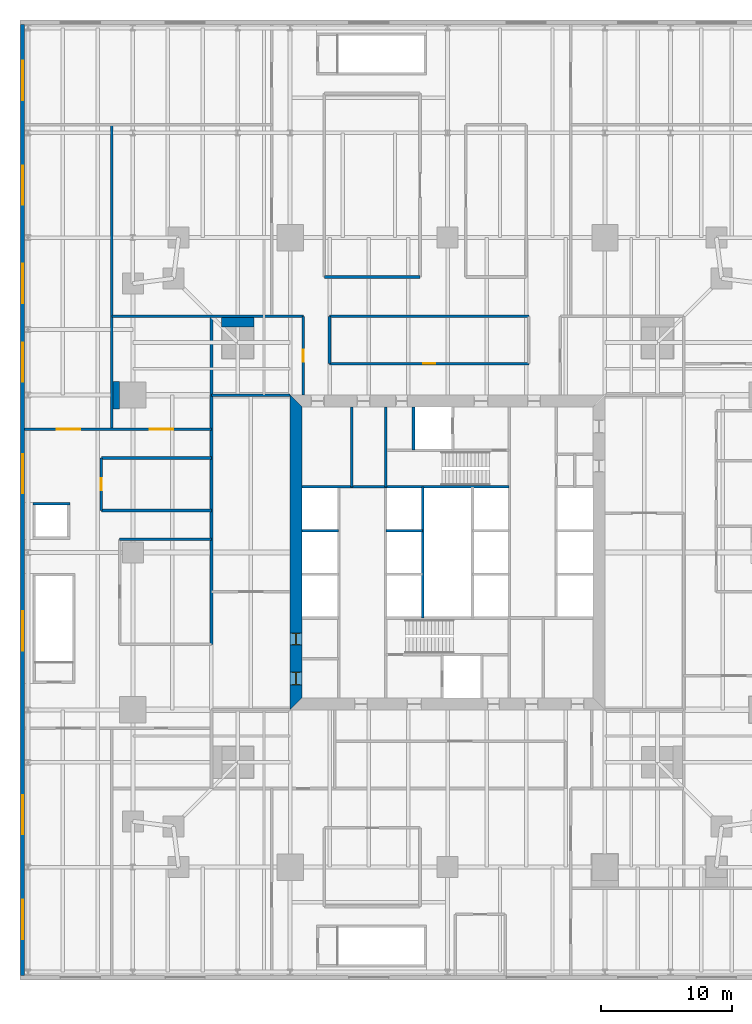
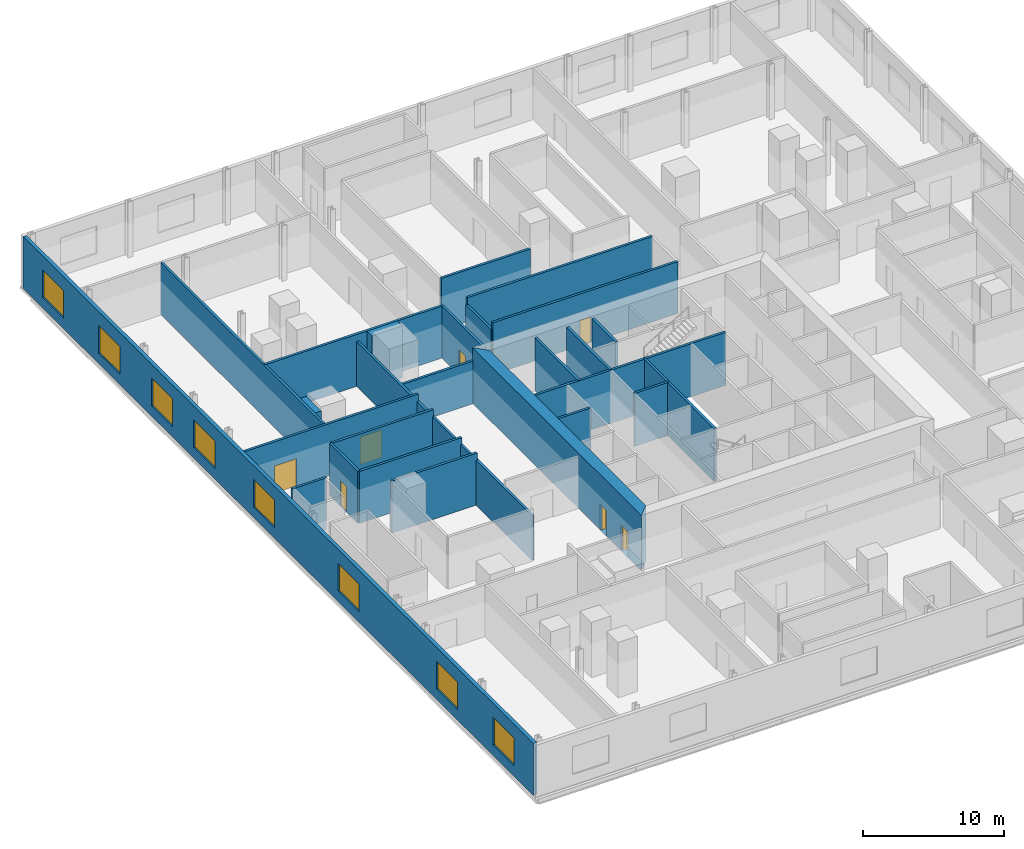
# One storey, part 11 of 15: 26 walls, 8 windows, 7 doors, 15 openings.
"""IFC4 building model written with IfcOpenShell, lengths in metres."""

from ifc_helpers import new_model, si_unit, direction, frame, frame_2d, origin, place, context, subcontext, project, spatial, polyline, rectangle, outline, extrude, material, layer, layer_set, type_object, element, fill, save


model = new_model("IFC4")

# Units and contexts
model_context = context("Model", 3, precision=1e-05, world=origin(), true_north=direction((0.0, 1.0)))
body_context = subcontext(model_context, "Body", "Model", "MODEL_VIEW")
ifc_project = project(units=[si_unit("LENGTHUNIT", "METRE"), si_unit("AREAUNIT", "SQUARE_METRE"), si_unit("VOLUMEUNIT", "CUBIC_METRE"), si_unit("PLANEANGLEUNIT", "RADIAN"), si_unit("MASSUNIT", "GRAM", prefix="KILO")], contexts=[model_context])

# Site, building, storey
site_placement = place(None, origin())
site = spatial("IfcSite", under=ifc_project, at=site_placement, CompositionType="ELEMENT")
building_placement = place(site_placement, origin())
building = spatial("IfcBuilding", under=site, at=building_placement, Name="Fenwick Lantern Interchange", CompositionType="ELEMENT")
storey_placement = place(building_placement, frame((0.0, 0.0, 26.199951171875)))
storey = spatial("IfcBuildingStorey", under=building, at=storey_placement, Name="L05", CompositionType="ELEMENT", Elevation=26.199951171875)

# Walls
ifc_material_1 = material(Name="Fire-rated gypsum board encasement on steel studs, 2 hour", Category="steel")
ifc_layer_1 = layer(ifc_material_1, 2.10009765625)
ifc_layer_set_1 = layer_set([ifc_layer_1], Name="COLUMN PIER 2100")
wall_type_1 = type_object("IfcWallType", Name="COLUMN PIER 2100", PredefinedType="PARTITIONING", material=ifc_layer_set_1)
wall_1_placement = place(storey_placement, frame((-0.5, 37.0, 0.0), z_axis=(0.0, 0.0, 1.0), x_axis=(1.0, 0.0, 0.0)))
element("IfcWall", 1, at=wall_1_placement, inside=storey, type_object=wall_type_1, Name="L05/W/PIER/CW2", PredefinedType="PARTITIONING", context=body_context, shape_type="SweptSolid", body=[
    extrude(rectangle(XDim=0.5, YDim=2.10009765625, at=frame_2d((0.25, 0.0))), origin(), (0.0, 0.0, 1.0), 4.5),
])
ifc_layer_2 = layer(ifc_material_1, 2.5)
ifc_layer_set_2 = layer_set([ifc_layer_2], Name="COLUMN PIER 2500")
wall_type_2 = type_object("IfcWallType", Name="COLUMN PIER 2500", PredefinedType="PARTITIONING", material=ifc_layer_set_2)
wall_2_placement = place(storey_placement, frame((9.0, 42.89990234375, 0.0), z_axis=(0.0, 0.0, 1.0), x_axis=(0.0, -1.0, 0.0)))
element("IfcWall", 2, at=wall_2_placement, inside=storey, type_object=wall_type_2, Name="L05/W/PIER/M4", PredefinedType="PARTITIONING", context=body_context, shape_type="SweptSolid", body=[
    extrude(rectangle(XDim=0.699951171875, YDim=2.5, at=frame_2d((0.35009765625, 0.0))), origin(), (0.0, 0.0, 1.0), 4.5),
])
ifc_material_2 = material(Name="Concrete masonry ASTM C90 Grade N", Category="masonry")
ifc_layer_3 = layer(ifc_material_2, 0.199951171875)
ifc_layer_set_3 = layer_set([ifc_layer_3], Name="Concrete masonry ASTM C90 Grade N")
wall_type_3 = type_object("IfcWallType", Name="CORE PARTITION 200", PredefinedType="PARTITIONING", material=ifc_layer_set_3)
for number, where, z_axis, x_axis, name in (
    (3, (13.89990234375, 26.666748046875, 0.0), (0.0, 0.0, 1.0), (1.0, 0.0, 0.0), "L05/W/CORES/d2"),
    (4, (20.300048828125, 26.666748046875, 0.0), (0.0, 0.0, 1.0), (1.0, 0.0, 0.0), "L05/W/CORES/e2"),
):
    element("IfcWall", number, at=place(storey_placement, frame(where, z_axis=z_axis, x_axis=x_axis)), inside=storey, type_object=wall_type_3, Name=name, PredefinedType="PARTITIONING", context=body_context, shape_type="SweptSolid", body=[
        extrude(rectangle(XDim=2.800048828125, YDim=0.199951171875, at=frame_2d((1.39990234375, 0.0))), origin(), (0.0, 0.0, 1.0), 4.60009765625),
    ])
wall_3_placement = place(storey_placement, frame((23.10009765625, 20.0, 0.0), z_axis=(0.0, 0.0, 1.0), x_axis=(0.0, 1.0, 0.0)))
element("IfcWall", 5, at=wall_3_placement, inside=storey, type_object=wall_type_3, Name="L05/W/CORES/e3", PredefinedType="PARTITIONING", context=body_context, shape_type="SweptSolid", body=[
    extrude(rectangle(XDim=10.0, YDim=0.199951171875, at=frame_2d((5.0, 0.0))), origin(), (0.0, 0.0, 1.0), 4.60009765625),
])
wall_4_placement = place(storey_placement, frame((22.39990234375, 36.10009765625, 0.0), z_axis=(0.0, 0.0, 1.0), x_axis=(0.0, -1.0, 0.0)))
element("IfcWall", 6, at=wall_4_placement, inside=storey, type_object=wall_type_3, Name="L05/W/COREN/h2", PredefinedType="PARTITIONING", context=body_context, shape_type="SweptSolid", body=[
    extrude(rectangle(XDim=3.300048828125, YDim=0.199951171875, at=frame_2d((1.64990234375, 0.0))), origin(), (0.0, 0.0, 1.0), 4.60009765625),
])
wall_5_placement = place(storey_placement, frame((17.699951171875, 36.10009765625, 0.0), z_axis=(0.0, 0.0, 1.0), x_axis=(0.0, -1.0, 0.0)))
element("IfcWall", 7, at=wall_5_placement, inside=storey, type_object=wall_type_3, Name="L05/W/COREN/i2", PredefinedType="PARTITIONING", context=body_context, shape_type="SweptSolid", body=[
    extrude(rectangle(XDim=6.10009765625, YDim=0.199951171875, at=frame_2d((3.050048828125, 0.0))), origin(), (0.0, 0.0, 1.0), 4.60009765625),
])

# Wall, openings, doors
ifc_material_3 = material(Name="Concrete f'c 70 MPa", Category="concrete")
ifc_layer_4 = layer(ifc_material_3, 0.89990234375)
ifc_layer_set_4 = layer_set([ifc_layer_4], Name="CORE WALL 900")
wall_type_4 = type_object("IfcWallType", Name="CORE WALL 900", PredefinedType="SHEAR", material=ifc_layer_set_4)
wall_6_placement = place(storey_placement, frame((13.449951171875, 36.10009765625, 0.0), z_axis=(0.0, 0.0, 1.0), x_axis=(0.0, -1.0, 0.0)))
wall_6 = element("IfcWall", 8, at=wall_6_placement, inside=storey, type_object=wall_type_4, Name="L05/CORE/W", PredefinedType="SHEAR", context=body_context, shape_type="SweptSolid", body=[
    extrude(outline(polyline([(-0.89990234375, -0.449951171875), (23.10009765625, -0.449951171875), (22.199951171875, 0.449951171875), (0.0, 0.449951171875), (-0.89990234375, -0.449951171875)])), origin(), (0.0, 0.0, 1.0), 4.800048828125),
])
opening_1_placement = place(wall_6_placement, frame((20.199951171875, 0.0, 0.0)))
opening_1 = element("IfcOpeningElement", 9, at=opening_1_placement, cuts=wall_6, Name="Opening L05-D007", PredefinedType="OPENING", context=body_context, shape_type="SweptSolid", body=[
    extrude(rectangle(XDim=1.0, YDim=2.199951171875, at=frame_2d((0.5, 1.10009765625))), frame((0.0, 0.4599609375, 0.0), z_axis=(0.0, -1.0, 0.0), x_axis=(1.0, 0.0, 0.0)), (0.0, 0.0, 1.0), 0.919921875),
])
opening_2_placement = place(wall_6_placement, frame((17.25, 0.0, 0.0)))
opening_2 = element("IfcOpeningElement", 10, at=opening_2_placement, cuts=wall_6, Name="Opening L05-D008", PredefinedType="OPENING", context=body_context, shape_type="SweptSolid", body=[
    extrude(rectangle(XDim=0.89990234375, YDim=2.199951171875, at=frame_2d((0.449951171875, 1.10009765625))), frame((0.0, 0.4599609375, 0.0), z_axis=(0.0, -1.0, 0.0), x_axis=(1.0, 0.0, 0.0)), (0.0, 0.0, 1.0), 0.919921875),
])
ifc_material_4 = material(Name="Steel door and frame", Category="steel")
door_type_1 = type_object("IfcDoorType", Name="SERVICE DOOR 900 X 2200", OperationType="SINGLE_SWING_LEFT", PredefinedType="DOOR", material=ifc_material_4)
door_1_placement = place(opening_2_placement, origin())
door_1 = element("IfcDoor", 11, at=door_1_placement, inside=storey, type_object=door_type_1, Name="Service door", OperationType="SINGLE_SWING_RIGHT", OverallHeight=2.199951171875, OverallWidth=0.89990234375, PredefinedType="DOOR", context=body_context, shape_type="SweptSolid", body=[
    extrude(rectangle(XDim=0.89990234375, YDim=2.199951171875, at=frame_2d((0.449951171875, 1.10009765625))), frame((0.0, 0.02490234375, 0.0), z_axis=(0.0, -1.0, 0.0), x_axis=(1.0, 0.0, 0.0)), (0.0, 0.0, 1.0), 0.050048828125),
    extrude(outline(polyline([(0.0, 0.0), (0.0400390625, 0.0), (0.0400390625, 2.159912109375), (0.85986328125, 2.159912109375), (0.85986328125, 0.0), (0.89990234375, 0.0), (0.89990234375, 2.199951171875), (0.0, 2.199951171875), (0.0, 0.0)])), frame((0.0, 0.300048828125, 0.0), z_axis=(0.0, -1.0, 0.0), x_axis=(1.0, 0.0, 0.0)), (0.0, 0.0, 1.0), 0.60009765625),
])
fill(opening_2, door_1)
ifc_material_5 = material(Name="Hardwood door and steel frame", Category="steel")
door_type_2 = type_object("IfcDoorType", Name="WC DOOR 1000 X 2200", OperationType="SINGLE_SWING_LEFT", PredefinedType="DOOR", material=ifc_material_5)
door_2_placement = place(opening_1_placement, origin())
door_2 = element("IfcDoor", 12, at=door_2_placement, inside=storey, type_object=door_type_2, Name="Wc door", OperationType="SINGLE_SWING_LEFT", OverallHeight=2.199951171875, OverallWidth=1.0, PredefinedType="DOOR", context=body_context, shape_type="SweptSolid", body=[
    extrude(rectangle(XDim=1.0, YDim=2.199951171875, at=frame_2d((0.5, 1.10009765625))), frame((0.0, 0.02490234375, 0.0), z_axis=(0.0, -1.0, 0.0), x_axis=(1.0, 0.0, 0.0)), (0.0, 0.0, 1.0), 0.050048828125),
    extrude(outline(polyline([(0.0, 0.0), (0.0400390625, 0.0), (0.0400390625, 2.159912109375), (0.9599609375, 2.159912109375), (0.9599609375, 0.0), (1.0, 0.0), (1.0, 2.199951171875), (0.0, 2.199951171875), (0.0, 0.0)])), frame((0.0, 0.300048828125, 0.0), z_axis=(0.0, -1.0, 0.0), x_axis=(1.0, 0.0, 0.0)), (0.0, 0.0, 1.0), 0.60009765625),
])
fill(opening_1, door_2)

# Wall
ifc_layer_5 = layer(ifc_material_2, 0.199951171875)
ifc_layer_set_5 = layer_set([ifc_layer_5], Name="Concrete masonry ASTM C90 Grade N")
wall_type_5 = type_object("IfcWallType", Name="LIFT SHAFT WALL 200", PredefinedType="PARTITIONING", material=ifc_layer_set_5)
wall_7_placement = place(storey_placement, frame((-3.800048828125, 28.699951171875, 0.0), z_axis=(0.0, 0.0, 1.0), x_axis=(-1.0, 0.0, 0.0)))
element("IfcWall", 13, at=wall_7_placement, inside=storey, type_object=wall_type_5, Name="L05/W/PL1/N", PredefinedType="PARTITIONING", context=body_context, shape_type="SweptSolid", body=[
    extrude(rectangle(XDim=2.800048828125, YDim=0.199951171875, at=frame_2d((1.39990234375, 0.0))), origin(), (0.0, 0.0, 1.0), 4.5),
])

# Wall, openings, windows
ifc_material_6 = material(Name="Limestone ASTM C568 Classification II", Category="masonry")
ifc_layer_6 = layer(ifc_material_6, 0.074951171875)
ifc_material_7 = material(Name="Mineral wool insulation")
ifc_layer_7 = layer(ifc_material_7, 0.125)
ifc_material_8 = material(Name="Cold-formed galvanised steel studs", Category="steel")
ifc_layer_8 = layer(ifc_material_8, 0.10009765625)
ifc_layer_set_6 = layer_set([ifc_layer_6, ifc_layer_7, ifc_layer_8], Name="Limestone ASTM C568 Classification II")
wall_type_6 = type_object("IfcWallType", Name="LIMESTONE RAINSCREEN WALL 300", PredefinedType="SOLIDWALL", material=ifc_layer_set_6)
wall_8_placement = place(storey_placement, frame((-7.39990234375, 65.25, 0.0), z_axis=(0.0, 0.0, 1.0), x_axis=(0.0, -1.0, 0.0)))
wall_8 = element("IfcWall", 14, at=wall_8_placement, inside=storey, type_object=wall_type_6, Name="L05/EW/W", PredefinedType="SOLIDWALL", context=body_context, shape_type="SweptSolid", body=[
    extrude(rectangle(XDim=72.5, YDim=0.300048828125, at=frame_2d((36.25, 0.0))), origin(), (0.0, 0.0, 1.0), 4.5),
])
opening_3_placement = place(wall_8_placement, frame((66.75, 0.0, 0.89990234375)))
opening_3 = element("IfcOpeningElement", 15, at=opening_3_placement, cuts=wall_8, Name="Opening W1", PredefinedType="OPENING", context=body_context, shape_type="SweptSolid", body=[
    extrude(rectangle(XDim=3.0, YDim=2.39990234375, at=frame_2d((1.5, 1.199951171875))), frame((0.0, 0.159912109375, 0.0), z_axis=(0.0, -1.0, 0.0), x_axis=(1.0, 0.0, 0.0)), (0.0, 0.0, 1.0), 0.320068359375),
])
opening_4_placement = place(wall_8_placement, frame((58.75, 0.0, 0.89990234375)))
opening_4 = element("IfcOpeningElement", 16, at=opening_4_placement, cuts=wall_8, Name="Opening W1", PredefinedType="OPENING", context=body_context, shape_type="SweptSolid", body=[
    extrude(rectangle(XDim=3.0, YDim=2.39990234375, at=frame_2d((1.5, 1.199951171875))), frame((0.0, 0.159912109375, 0.0), z_axis=(0.0, -1.0, 0.0), x_axis=(1.0, 0.0, 0.0)), (0.0, 0.0, 1.0), 0.320068359375),
])
opening_5_placement = place(wall_8_placement, frame((44.75, 0.0, 0.89990234375)))
opening_5 = element("IfcOpeningElement", 17, at=opening_5_placement, cuts=wall_8, Name="Opening W1", PredefinedType="OPENING", context=body_context, shape_type="SweptSolid", body=[
    extrude(rectangle(XDim=3.0, YDim=2.39990234375, at=frame_2d((1.5, 1.199951171875))), frame((0.0, 0.159912109375, 0.0), z_axis=(0.0, -1.0, 0.0), x_axis=(1.0, 0.0, 0.0)), (0.0, 0.0, 1.0), 0.320068359375),
])
opening_6_placement = place(wall_8_placement, frame((32.75, 0.0, 0.89990234375)))
opening_6 = element("IfcOpeningElement", 18, at=opening_6_placement, cuts=wall_8, Name="Opening W1", PredefinedType="OPENING", context=body_context, shape_type="SweptSolid", body=[
    extrude(rectangle(XDim=3.0, YDim=2.39990234375, at=frame_2d((1.5, 1.199951171875))), frame((0.0, 0.159912109375, 0.0), z_axis=(0.0, -1.0, 0.0), x_axis=(1.0, 0.0, 0.0)), (0.0, 0.0, 1.0), 0.320068359375),
])
opening_7_placement = place(wall_8_placement, frame((24.25, 0.0, 0.89990234375)))
opening_7 = element("IfcOpeningElement", 19, at=opening_7_placement, cuts=wall_8, Name="Opening W1", PredefinedType="OPENING", context=body_context, shape_type="SweptSolid", body=[
    extrude(rectangle(XDim=3.0, YDim=2.39990234375, at=frame_2d((1.5, 1.199951171875))), frame((0.0, 0.159912109375, 0.0), z_axis=(0.0, -1.0, 0.0), x_axis=(1.0, 0.0, 0.0)), (0.0, 0.0, 1.0), 0.320068359375),
])
opening_8_placement = place(wall_8_placement, frame((18.25, 0.0, 0.89990234375)))
opening_8 = element("IfcOpeningElement", 20, at=opening_8_placement, cuts=wall_8, Name="Opening W1", PredefinedType="OPENING", context=body_context, shape_type="SweptSolid", body=[
    extrude(rectangle(XDim=3.0, YDim=2.39990234375, at=frame_2d((1.5, 1.199951171875))), frame((0.0, 0.159912109375, 0.0), z_axis=(0.0, -1.0, 0.0), x_axis=(1.0, 0.0, 0.0)), (0.0, 0.0, 1.0), 0.320068359375),
])
opening_9_placement = place(wall_8_placement, frame((10.75, 0.0, 0.89990234375)))
opening_9 = element("IfcOpeningElement", 21, at=opening_9_placement, cuts=wall_8, Name="Opening W1", PredefinedType="OPENING", context=body_context, shape_type="SweptSolid", body=[
    extrude(rectangle(XDim=3.0, YDim=2.39990234375, at=frame_2d((1.5, 1.199951171875))), frame((0.0, 0.159912109375, 0.0), z_axis=(0.0, -1.0, 0.0), x_axis=(1.0, 0.0, 0.0)), (0.0, 0.0, 1.0), 0.320068359375),
])
opening_10_placement = place(wall_8_placement, frame((2.75, 0.0, 0.89990234375)))
opening_10 = element("IfcOpeningElement", 22, at=opening_10_placement, cuts=wall_8, Name="Opening W1", PredefinedType="OPENING", context=body_context, shape_type="SweptSolid", body=[
    extrude(rectangle(XDim=3.0, YDim=2.39990234375, at=frame_2d((1.5, 1.199951171875))), frame((0.0, 0.159912109375, 0.0), z_axis=(0.0, -1.0, 0.0), x_axis=(1.0, 0.0, 0.0)), (0.0, 0.0, 1.0), 0.320068359375),
])
ifc_material_9 = material(Name="Aluminium window, clear glass", Category="aluminium")
window_type = type_object("IfcWindowType", Name="PODIUM WINDOW 3000 X 2400", PartitioningType="SINGLE_PANEL", PredefinedType="WINDOW", material=ifc_material_9)
window_1_placement = place(opening_3_placement, origin())
window_1 = element("IfcWindow", 23, at=window_1_placement, inside=storey, type_object=window_type, Name="Podium window", OverallHeight=2.39990234375, OverallWidth=3.0, PartitioningType="SINGLE_PANEL", PredefinedType="WINDOW", context=body_context, shape_type="SweptSolid", body=[
    extrude(rectangle(XDim=3.0, YDim=2.39990234375, at=frame_2d((1.5, 1.199951171875))), frame((0.0, 0.030029296875, 0.0), z_axis=(0.0, -1.0, 0.0), x_axis=(1.0, 0.0, 0.0)), (0.0, 0.0, 1.0), 0.06005859375),
])
fill(opening_3, window_1)
window_2_placement = place(opening_4_placement, origin())
window_2 = element("IfcWindow", 24, at=window_2_placement, inside=storey, type_object=window_type, Name="Podium window", OverallHeight=2.39990234375, OverallWidth=3.0, PartitioningType="SINGLE_PANEL", PredefinedType="WINDOW", context=body_context, shape_type="SweptSolid", body=[
    extrude(rectangle(XDim=3.0, YDim=2.39990234375, at=frame_2d((1.5, 1.199951171875))), frame((0.0, 0.030029296875, 0.0), z_axis=(0.0, -1.0, 0.0), x_axis=(1.0, 0.0, 0.0)), (0.0, 0.0, 1.0), 0.06005859375),
])
fill(opening_4, window_2)
window_3_placement = place(opening_5_placement, origin())
window_3 = element("IfcWindow", 25, at=window_3_placement, inside=storey, type_object=window_type, Name="Podium window", OverallHeight=2.39990234375, OverallWidth=3.0, PartitioningType="SINGLE_PANEL", PredefinedType="WINDOW", context=body_context, shape_type="SweptSolid", body=[
    extrude(rectangle(XDim=3.0, YDim=2.39990234375, at=frame_2d((1.5, 1.199951171875))), frame((0.0, 0.030029296875, 0.0), z_axis=(0.0, -1.0, 0.0), x_axis=(1.0, 0.0, 0.0)), (0.0, 0.0, 1.0), 0.06005859375),
])
fill(opening_5, window_3)
window_4_placement = place(opening_6_placement, origin())
window_4 = element("IfcWindow", 26, at=window_4_placement, inside=storey, type_object=window_type, Name="Podium window", OverallHeight=2.39990234375, OverallWidth=3.0, PartitioningType="SINGLE_PANEL", PredefinedType="WINDOW", context=body_context, shape_type="SweptSolid", body=[
    extrude(rectangle(XDim=3.0, YDim=2.39990234375, at=frame_2d((1.5, 1.199951171875))), frame((0.0, 0.030029296875, 0.0), z_axis=(0.0, -1.0, 0.0), x_axis=(1.0, 0.0, 0.0)), (0.0, 0.0, 1.0), 0.06005859375),
])
fill(opening_6, window_4)
window_5_placement = place(opening_7_placement, origin())
window_5 = element("IfcWindow", 27, at=window_5_placement, inside=storey, type_object=window_type, Name="Podium window", OverallHeight=2.39990234375, OverallWidth=3.0, PartitioningType="SINGLE_PANEL", PredefinedType="WINDOW", context=body_context, shape_type="SweptSolid", body=[
    extrude(rectangle(XDim=3.0, YDim=2.39990234375, at=frame_2d((1.5, 1.199951171875))), frame((0.0, 0.030029296875, 0.0), z_axis=(0.0, -1.0, 0.0), x_axis=(1.0, 0.0, 0.0)), (0.0, 0.0, 1.0), 0.06005859375),
])
fill(opening_7, window_5)
window_6_placement = place(opening_8_placement, origin())
window_6 = element("IfcWindow", 28, at=window_6_placement, inside=storey, type_object=window_type, Name="Podium window", OverallHeight=2.39990234375, OverallWidth=3.0, PartitioningType="SINGLE_PANEL", PredefinedType="WINDOW", context=body_context, shape_type="SweptSolid", body=[
    extrude(rectangle(XDim=3.0, YDim=2.39990234375, at=frame_2d((1.5, 1.199951171875))), frame((0.0, 0.030029296875, 0.0), z_axis=(0.0, -1.0, 0.0), x_axis=(1.0, 0.0, 0.0)), (0.0, 0.0, 1.0), 0.06005859375),
])
fill(opening_8, window_6)
window_7_placement = place(opening_9_placement, origin())
window_7 = element("IfcWindow", 29, at=window_7_placement, inside=storey, type_object=window_type, Name="Podium window", OverallHeight=2.39990234375, OverallWidth=3.0, PartitioningType="SINGLE_PANEL", PredefinedType="WINDOW", context=body_context, shape_type="SweptSolid", body=[
    extrude(rectangle(XDim=3.0, YDim=2.39990234375, at=frame_2d((1.5, 1.199951171875))), frame((0.0, 0.030029296875, 0.0), z_axis=(0.0, -1.0, 0.0), x_axis=(1.0, 0.0, 0.0)), (0.0, 0.0, 1.0), 0.06005859375),
])
fill(opening_9, window_7)
window_8_placement = place(opening_10_placement, origin())
window_8 = element("IfcWindow", 30, at=window_8_placement, inside=storey, type_object=window_type, Name="Podium window", OverallHeight=2.39990234375, OverallWidth=3.0, PartitioningType="SINGLE_PANEL", PredefinedType="WINDOW", context=body_context, shape_type="SweptSolid", body=[
    extrude(rectangle(XDim=3.0, YDim=2.39990234375, at=frame_2d((1.5, 1.199951171875))), frame((0.0, 0.030029296875, 0.0), z_axis=(0.0, -1.0, 0.0), x_axis=(1.0, 0.0, 0.0)), (0.0, 0.0, 1.0), 0.06005859375),
])
fill(opening_10, window_8)

# Wall, opening, door
ifc_material_10 = material(Name="Gypsum board on steel studs, 1 hour", Category="steel")
ifc_layer_9 = layer(ifc_material_10, 0.199951171875)
ifc_layer_set_7 = layer_set([ifc_layer_9], Name="ROOM WALL 200")
wall_type_7 = type_object("IfcWallType", Name="ROOM WALL 200", PredefinedType="PARTITIONING", material=ifc_layer_set_7)
wall_9_placement = place(storey_placement, frame((-1.39990234375, 28.199951171875, 0.0), z_axis=(0.0, 0.0, 1.0), x_axis=(0.0, 1.0, 0.0)))
wall_9 = element("IfcWall", 31, at=wall_9_placement, inside=storey, type_object=wall_type_7, Name="L05/W/POD/X-1.4-1", PredefinedType="PARTITIONING", context=body_context, shape_type="SweptSolid", body=[
    extrude(rectangle(XDim=4.0, YDim=0.199951171875, at=frame_2d((2.0, 0.0))), origin(), (0.0, 0.0, 1.0), 4.5),
])
opening_11_placement = place(wall_9_placement, frame((1.550048828125, 0.0, 0.0)))
opening_11 = element("IfcOpeningElement", 32, at=opening_11_placement, cuts=wall_9, Name="Opening L05-D052", PredefinedType="OPENING", context=body_context, shape_type="SweptSolid", body=[
    extrude(rectangle(XDim=0.89990234375, YDim=2.199951171875, at=frame_2d((0.449951171875, 1.10009765625))), frame((0.0, 0.10986328125, 0.0), z_axis=(0.0, -1.0, 0.0), x_axis=(1.0, 0.0, 0.0)), (0.0, 0.0, 1.0), 0.219970703125),
])
door_type_3 = type_object("IfcDoorType", Name="OFFICE DOOR 900 X 2200", OperationType="SINGLE_SWING_LEFT", PredefinedType="DOOR", material=ifc_material_5)
door_3_placement = place(opening_11_placement, frame((0.89990234375, 0.0, 0.0), z_axis=(0.0, 0.0, 1.0), x_axis=(-1.0, 0.0, 0.0)))
door_3 = element("IfcDoor", 33, at=door_3_placement, inside=storey, type_object=door_type_3, Name="Office door", OperationType="SINGLE_SWING_RIGHT", OverallHeight=2.199951171875, OverallWidth=0.89990234375, PredefinedType="DOOR", context=body_context, shape_type="SweptSolid", body=[
    extrude(rectangle(XDim=0.89990234375, YDim=2.199951171875, at=frame_2d((0.449951171875, 1.10009765625))), frame((0.0, 0.02490234375, 0.0), z_axis=(0.0, -1.0, 0.0), x_axis=(1.0, 0.0, 0.0)), (0.0, 0.0, 1.0), 0.050048828125),
])
fill(opening_11, door_3)

# Walls
wall_10_placement = place(storey_placement, frame((-0.60009765625, 34.39990234375, 0.0), z_axis=(0.0, 0.0, 1.0), x_axis=(0.0, 1.0, 0.0)))
element("IfcWall", 34, at=wall_10_placement, inside=storey, type_object=wall_type_7, Name="L05/W/POD/X-0.6-2", PredefinedType="PARTITIONING", context=body_context, shape_type="SweptSolid", body=[
    extrude(rectangle(XDim=23.2001953125, YDim=0.199951171875, at=frame_2d((11.60009765625, 0.0))), origin(), (0.0, 0.0, 1.0), 4.5),
])
wall_11_placement = place(storey_placement, frame((7.0, 18.0, 0.0), z_axis=(0.0, 0.0, 1.0), x_axis=(0.0, 1.0, 0.0)))
element("IfcWall", 35, at=wall_11_placement, inside=storey, type_object=wall_type_7, Name="L05/W/POD/X7-2", PredefinedType="PARTITIONING", context=body_context, shape_type="SweptSolid", body=[
    extrude(rectangle(XDim=25.0, YDim=0.199951171875, at=frame_2d((12.5, 0.0))), origin(), (0.0, 0.0, 1.0), 3.89306640625),
])

# Wall, opening, door
wall_12_placement = place(storey_placement, frame((14.0, 37.0, 0.0), z_axis=(0.0, 0.0, 1.0), x_axis=(0.0, 1.0, 0.0)))
wall_12 = element("IfcWall", 36, at=wall_12_placement, inside=storey, type_object=wall_type_7, Name="L05/W/POD/X14-1", PredefinedType="PARTITIONING", context=body_context, shape_type="SweptSolid", body=[
    extrude(rectangle(XDim=6.0, YDim=0.199951171875, at=frame_2d((3.0, 0.0))), origin(), (0.0, 0.0, 1.0), 4.5),
])
opening_12_placement = place(wall_12_placement, frame((2.550048828125, 0.0, 0.0)))
opening_12 = element("IfcOpeningElement", 37, at=opening_12_placement, cuts=wall_12, Name="Opening L05-D041", PredefinedType="OPENING", context=body_context, shape_type="SweptSolid", body=[
    extrude(rectangle(XDim=0.89990234375, YDim=2.199951171875, at=frame_2d((0.449951171875, 1.10009765625))), frame((0.0, 0.10986328125, 0.0), z_axis=(0.0, -1.0, 0.0), x_axis=(1.0, 0.0, 0.0)), (0.0, 0.0, 1.0), 0.219970703125),
])
door_4_placement = place(opening_12_placement, origin())
door_4 = element("IfcDoor", 38, at=door_4_placement, inside=storey, type_object=door_type_3, Name="Office door", OperationType="SINGLE_SWING_RIGHT", OverallHeight=2.199951171875, OverallWidth=0.89990234375, PredefinedType="DOOR", context=body_context, shape_type="SweptSolid", body=[
    extrude(rectangle(XDim=0.89990234375, YDim=2.199951171875, at=frame_2d((0.449951171875, 1.10009765625))), frame((0.0, 0.02490234375, 0.0), z_axis=(0.0, -1.0, 0.0), x_axis=(1.0, 0.0, 0.0)), (0.0, 0.0, 1.0), 0.050048828125),
])
fill(opening_12, door_4)

# Walls
wall_13_placement = place(storey_placement, frame((16.0, 39.39990234375, 0.0), z_axis=(0.0, 0.0, 1.0), x_axis=(0.0, 1.0, 0.0)))
element("IfcWall", 39, at=wall_13_placement, inside=storey, type_object=wall_type_7, Name="L05/W/POD/X16-1", PredefinedType="PARTITIONING", context=body_context, shape_type="SweptSolid", body=[
    extrude(rectangle(XDim=3.60009765625, YDim=0.199951171875, at=frame_2d((1.800048828125, 0.0))), origin(), (0.0, 0.0, 1.0), 3.89306640625),
])
wall_14_placement = place(storey_placement, frame((0.0, 26.0, 0.0), z_axis=(0.0, 0.0, 1.0), x_axis=(1.0, 0.0, 0.0)))
element("IfcWall", 40, at=wall_14_placement, inside=storey, type_object=wall_type_7, Name="L05/W/POD/Y26-1", PredefinedType="PARTITIONING", context=body_context, shape_type="SweptSolid", body=[
    extrude(rectangle(XDim=7.0, YDim=0.199951171875, at=frame_2d((3.5, 0.0))), origin(), (0.0, 0.0, 1.0), 4.5),
])
for number, where, z_axis, x_axis, name in (
    (41, (-1.39990234375, 28.199951171875, 0.0), (0.0, 0.0, 1.0), (1.0, 0.0, 0.0), "L05/W/POD/Y28.2-1"),
    (42, (-1.39990234375, 32.199951171875, 0.0), (0.0, 0.0, 1.0), (1.0, 0.0, 0.0), "L05/W/POD/Y32.2-1"),
):
    element("IfcWall", number, at=place(storey_placement, frame(where, z_axis=z_axis, x_axis=x_axis)), inside=storey, type_object=wall_type_7, Name=name, PredefinedType="PARTITIONING", context=body_context, shape_type="SweptSolid", body=[
        extrude(rectangle(XDim=8.39990234375, YDim=0.199951171875, at=frame_2d((4.199951171875, 0.0))), origin(), (0.0, 0.0, 1.0), 4.5),
    ])

# Wall, openings, doors
wall_15_placement = place(storey_placement, frame((-7.25, 34.39990234375, 0.0), z_axis=(0.0, 0.0, 1.0), x_axis=(1.0, 0.0, 0.0)))
wall_15 = element("IfcWall", 43, at=wall_15_placement, inside=storey, type_object=wall_type_7, Name="L05/W/POD/Y34.4-1", PredefinedType="PARTITIONING", context=body_context, shape_type="SweptSolid", body=[
    extrude(rectangle(XDim=14.25, YDim=0.199951171875, at=frame_2d((7.125, 0.0))), origin(), (0.0, 0.0, 1.0), 4.5),
])
opening_13_placement = place(wall_15_placement, frame((9.52490234375, 0.0, 0.0)))
opening_13 = element("IfcOpeningElement", 44, at=opening_13_placement, cuts=wall_15, Name="Opening L05-D032", PredefinedType="OPENING", context=body_context, shape_type="SweptSolid", body=[
    extrude(rectangle(XDim=1.800048828125, YDim=2.39990234375, at=frame_2d((0.89990234375, 1.199951171875))), frame((0.0, 0.10986328125, 0.0), z_axis=(0.0, -1.0, 0.0), x_axis=(1.0, 0.0, 0.0)), (0.0, 0.0, 1.0), 0.219970703125),
])
opening_14_placement = place(wall_15_placement, frame((2.449951171875, 0.0, 0.0)))
opening_14 = element("IfcOpeningElement", 45, at=opening_14_placement, cuts=wall_15, Name="Opening L05-D033", PredefinedType="OPENING", context=body_context, shape_type="SweptSolid", body=[
    extrude(rectangle(XDim=1.800048828125, YDim=2.39990234375, at=frame_2d((0.89990234375, 1.199951171875))), frame((0.0, 0.10986328125, 0.0), z_axis=(0.0, -1.0, 0.0), x_axis=(1.0, 0.0, 0.0)), (0.0, 0.0, 1.0), 0.219970703125),
])
door_type_4 = type_object("IfcDoorType", Name="ROOM DOOR PAIR 1800 X 2400", OperationType="DOUBLE_DOOR_SINGLE_SWING", PredefinedType="DOOR", material=ifc_material_4)
door_5_placement = place(opening_13_placement, frame((1.800048828125, 0.0, 0.0), z_axis=(0.0, 0.0, 1.0), x_axis=(-1.0, 0.0, 0.0)))
door_5 = element("IfcDoor", 46, at=door_5_placement, inside=storey, type_object=door_type_4, Name="Room door pair", OperationType="DOUBLE_DOOR_SINGLE_SWING", OverallHeight=2.39990234375, OverallWidth=1.800048828125, PredefinedType="DOOR", context=body_context, shape_type="SweptSolid", body=[
    extrude(rectangle(XDim=1.800048828125, YDim=2.39990234375, at=frame_2d((0.89990234375, 1.199951171875))), frame((0.0, 0.02490234375, 0.0), z_axis=(0.0, -1.0, 0.0), x_axis=(1.0, 0.0, 0.0)), (0.0, 0.0, 1.0), 0.050048828125),
])
fill(opening_13, door_5)
door_6_placement = place(opening_14_placement, frame((1.800048828125, 0.0, 0.0), z_axis=(0.0, 0.0, 1.0), x_axis=(-1.0, 0.0, 0.0)))
door_6 = element("IfcDoor", 47, at=door_6_placement, inside=storey, type_object=door_type_4, Name="Room door pair", OperationType="DOUBLE_DOOR_SINGLE_SWING", OverallHeight=2.39990234375, OverallWidth=1.800048828125, PredefinedType="DOOR", context=body_context, shape_type="SweptSolid", body=[
    extrude(rectangle(XDim=1.800048828125, YDim=2.39990234375, at=frame_2d((0.89990234375, 1.199951171875))), frame((0.0, 0.02490234375, 0.0), z_axis=(0.0, -1.0, 0.0), x_axis=(1.0, 0.0, 0.0)), (0.0, 0.0, 1.0), 0.050048828125),
])
fill(opening_14, door_6)

# Wall
wall_16_placement = place(storey_placement, frame((7.0, 37.0, 0.0), z_axis=(0.0, 0.0, 1.0), x_axis=(1.0, 0.0, 0.0)))
element("IfcWall", 48, at=wall_16_placement, inside=storey, type_object=wall_type_7, Name="L05/W/POD/Y37-1", PredefinedType="PARTITIONING", context=body_context, shape_type="SweptSolid", body=[
    extrude(rectangle(XDim=6.0, YDim=0.199951171875, at=frame_2d((3.0, 0.0))), origin(), (0.0, 0.0, 1.0), 3.70263671875),
])

# Wall, opening, door
wall_17_placement = place(storey_placement, frame((16.0, 39.39990234375, 0.0), z_axis=(0.0, 0.0, 1.0), x_axis=(1.0, 0.0, 0.0)))
wall_17 = element("IfcWall", 49, at=wall_17_placement, inside=storey, type_object=wall_type_7, Name="L05/W/POD/Y39.4-1", PredefinedType="PARTITIONING", context=body_context, shape_type="SweptSolid", body=[
    extrude(rectangle(XDim=15.199951171875, YDim=0.199951171875, at=frame_2d((7.60009765625, 0.0))), origin(), (0.0, 0.0, 1.0), 4.5),
])
opening_15_placement = place(wall_17_placement, frame((7.14990234375, 0.0, 0.0)))
opening_15 = element("IfcOpeningElement", 50, at=opening_15_placement, cuts=wall_17, Name="Opening L05-D048", PredefinedType="OPENING", context=body_context, shape_type="SweptSolid", body=[
    extrude(rectangle(XDim=0.89990234375, YDim=2.199951171875, at=frame_2d((0.449951171875, 1.10009765625))), frame((0.0, 0.10986328125, 0.0), z_axis=(0.0, -1.0, 0.0), x_axis=(1.0, 0.0, 0.0)), (0.0, 0.0, 1.0), 0.219970703125),
])
door_7_placement = place(opening_15_placement, origin())
door_7 = element("IfcDoor", 51, at=door_7_placement, inside=storey, type_object=door_type_3, Name="Office door", OperationType="SINGLE_SWING_LEFT", OverallHeight=2.199951171875, OverallWidth=0.89990234375, PredefinedType="DOOR", context=body_context, shape_type="SweptSolid", body=[
    extrude(rectangle(XDim=0.89990234375, YDim=2.199951171875, at=frame_2d((0.449951171875, 1.10009765625))), frame((0.0, 0.02490234375, 0.0), z_axis=(0.0, -1.0, 0.0), x_axis=(1.0, 0.0, 0.0)), (0.0, 0.0, 1.0), 0.050048828125),
])
fill(opening_15, door_7)

# Walls
wall_18_placement = place(storey_placement, frame((-0.60009765625, 43.0, 0.0), z_axis=(0.0, 0.0, 1.0), x_axis=(1.0, 0.0, 0.0)))
element("IfcWall", 52, at=wall_18_placement, inside=storey, type_object=wall_type_7, Name="L05/W/POD/Y43-1", PredefinedType="PARTITIONING", context=body_context, shape_type="SweptSolid", body=[
    extrude(rectangle(XDim=14.60009765625, YDim=0.199951171875, at=frame_2d((7.300048828125, 0.0))), origin(), (0.0, 0.0, 1.0), 4.5),
])
wall_19_placement = place(storey_placement, frame((16.0, 43.0, 0.0), z_axis=(0.0, 0.0, 1.0), x_axis=(1.0, 0.0, 0.0)))
element("IfcWall", 53, at=wall_19_placement, inside=storey, type_object=wall_type_7, Name="L05/W/POD/Y43-2", PredefinedType="PARTITIONING", context=body_context, shape_type="SweptSolid", body=[
    extrude(rectangle(XDim=15.199951171875, YDim=0.199951171875, at=frame_2d((7.60009765625, 0.0))), origin(), (0.0, 0.0, 1.0), 4.5),
])
wall_20_placement = place(storey_placement, frame((15.60009765625, 46.0, 0.0), z_axis=(0.0, 0.0, 1.0), x_axis=(1.0, 0.0, 0.0)))
element("IfcWall", 54, at=wall_20_placement, inside=storey, type_object=wall_type_7, Name="L05/W/POD/Y46-1", PredefinedType="PARTITIONING", context=body_context, shape_type="SweptSolid", body=[
    extrude(rectangle(XDim=7.2998046875, YDim=0.199951171875, at=frame_2d((3.64990234375, 0.0))), origin(), (0.0, 0.0, 1.0), 4.5),
])
ifc_material_11 = material(Name="Concrete f'c 45 MPa", Category="concrete")
ifc_layer_10 = layer(ifc_material_11, 0.199951171875)
ifc_layer_set_8 = layer_set([ifc_layer_10], Name="STAIR CORE WALL 200")
wall_type_8 = type_object("IfcWallType", Name="STAIR CORE WALL 200", PredefinedType="SOLIDWALL", material=ifc_layer_set_8)
wall_21_placement = place(storey_placement, frame((29.699951171875, 30.0, 0.0), z_axis=(0.0, 0.0, 1.0), x_axis=(-1.0, 0.0, 0.0)))
element("IfcWall", 55, at=wall_21_placement, inside=storey, type_object=wall_type_8, Name="L05/W/COREN/g2", PredefinedType="SOLIDWALL", context=body_context, shape_type="SweptSolid", body=[
    extrude(rectangle(XDim=15.800048828125, YDim=0.199951171875, at=frame_2d((7.89990234375, 0.0))), origin(), (0.0, 0.0, 1.0), 4.60009765625),
])
wall_22_placement = place(storey_placement, frame((20.300048828125, 36.10009765625, 0.0), z_axis=(0.0, 0.0, 1.0), x_axis=(0.0, -1.0, 0.0)))
element("IfcWall", 56, at=wall_22_placement, inside=storey, type_object=wall_type_8, Name="L05/W/COREN/i1", PredefinedType="SOLIDWALL", context=body_context, shape_type="SweptSolid", body=[
    extrude(rectangle(XDim=6.10009765625, YDim=0.199951171875, at=frame_2d((3.050048828125, 0.0))), origin(), (0.0, 0.0, 1.0), 4.60009765625),
])

save(model, "model.ifc")
